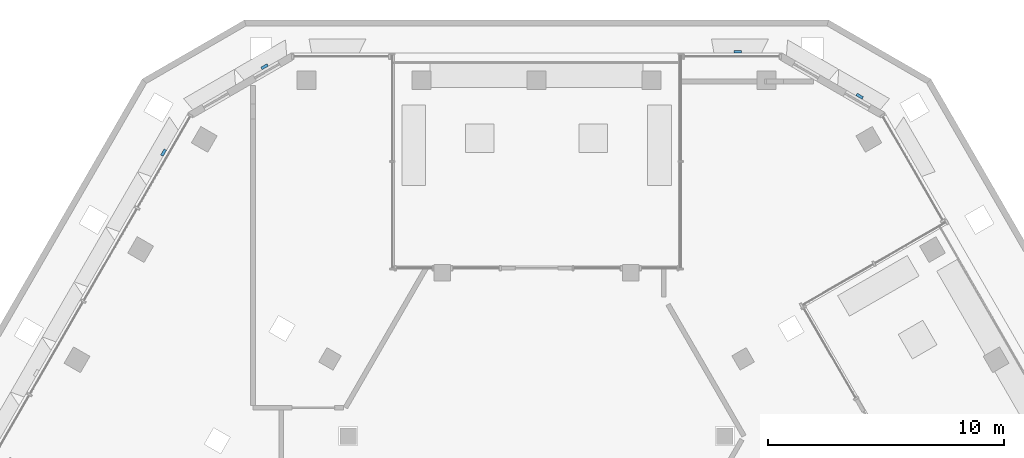
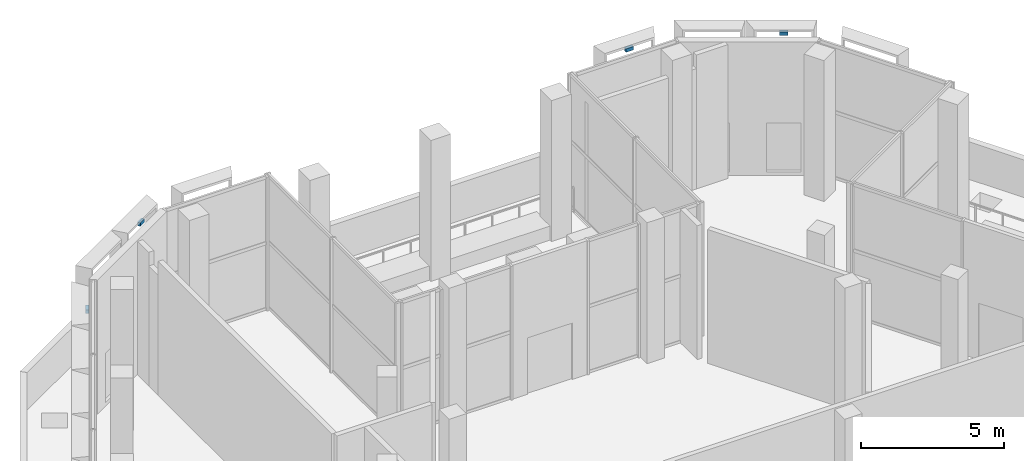
# One storey, part 14 of 23: 4 discrete accessories.
"""IFC4 building model written with IfcOpenShell, lengths in metres."""

from ifc_helpers import new_model, si_unit, direction, frame, origin, place, context, subcontext, project, spatial, polyline, outline, extrude, source, transform, mapped, material, type_object, type_shapes, element, save


model = new_model("IFC4")

# Units and contexts
model_context = context("Model", 3, precision=1e-05, world=origin(), true_north=direction((0.0, 1.0)))
body_context = subcontext(model_context, "Body", "Model", "MODEL_VIEW")
ifc_project = project(units=[si_unit("LENGTHUNIT", "METRE"), si_unit("AREAUNIT", "SQUARE_METRE"), si_unit("VOLUMEUNIT", "CUBIC_METRE"), si_unit("PLANEANGLEUNIT", "RADIAN"), si_unit("MASSUNIT", "GRAM", prefix="KILO")], contexts=[model_context])

# Site, building, storey
site_placement = place(None, origin())
site = spatial("IfcSite", under=ifc_project, at=site_placement, CompositionType="ELEMENT")
building_placement = place(site_placement, origin())
building = spatial("IfcBuilding", under=site, at=building_placement, Name="Beryl Residences", CompositionType="ELEMENT")
storey_placement = place(building_placement, frame((0.0, 0.0, 157.199951171875)))
storey = spatial("IfcBuildingStorey", under=building, at=storey_placement, Name="L48", CompositionType="ELEMENT", Elevation=157.199951171875)

# Discrete accessories
ifc_material = material(Name="Steel S355", Category="steel")
discrete_accessory_type = type_object("IfcDiscreteAccessoryType", Name="BR1 frame bracket 300 x 120 x 150 mm", PredefinedType="BRACKET", material=ifc_material)
shared_shape = source(origin(), body_context, "Body", "SweptSolid", [
    extrude(outline(polyline([(-0.14990234375, 0.0), (0.14990234375, 0.0), (0.14990234375, 0.1201171875), (-0.14990234375, 0.1201171875), (-0.14990234375, 0.0)])), origin(), (0.0, 0.0, 1.0), 0.14990234375),
])
type_shapes(discrete_accessory_type, [shared_shape])
for number, where, z_axis, x_axis, name in (
    (1, (8.511962890625, 24.199951171875, 5.75), (0.0, 0.0, 1.0), (1.0, 0.0, 0.0), "BR1 bracket L48 N 1"),
    (2, (-11.47412109375, 23.574951171875, 5.75), (0.0, 0.0, 1.0), (0.866025403784, 0.5, 0.0), "BR1 bracket L48 N-NW 1"),
    (3, (-15.72705078125, 19.9599609375, 5.75), (0.0, 0.0, 1.0), (0.5, 0.866025403784, 0.0), "BR1 bracket L48 NW 1"),
    (4, (13.638916015625, 22.324951171875, 5.75), (0.0, 0.0, 1.0), (0.866025403784, -0.5, 0.0), "BR1 bracket L48 NE-N 1"),
):
    element("IfcDiscreteAccessory", number, at=place(storey_placement, frame(where, z_axis=z_axis, x_axis=x_axis)), inside=storey, type_object=discrete_accessory_type, Name=name, PredefinedType="BRACKET", context=body_context, shape_type="MappedRepresentation", body=[
        mapped(shared_shape, transform((0.0, 0.0, 0.0))),
    ])

save(model, "model.ifc")
